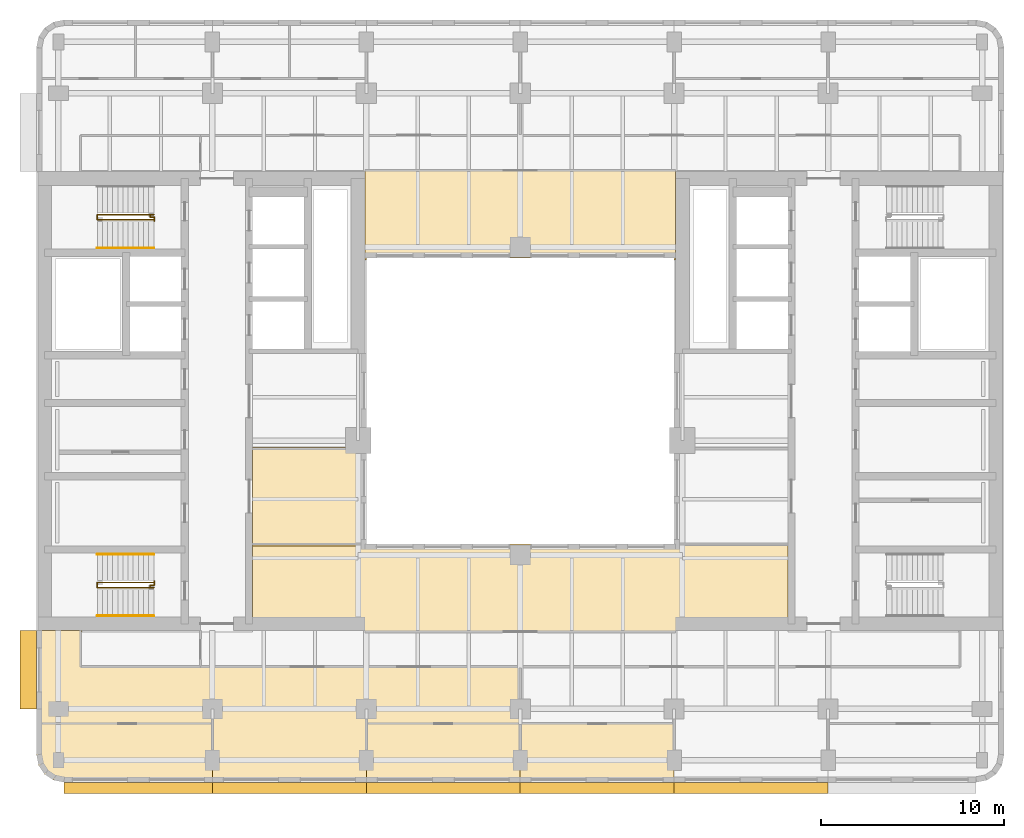
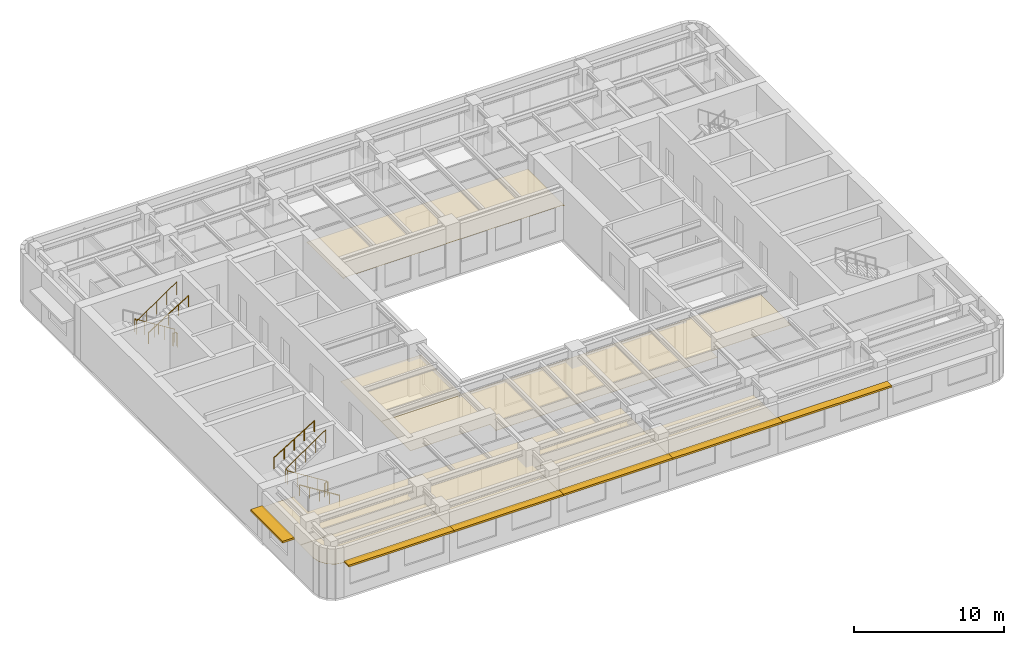
# One storey, part 9 of 11: 7 coverings, 7 railings, 6 shading devices.
"""IFC4 building model written with IfcOpenShell, lengths in metres."""

from ifc_helpers import new_model, si_unit, direction, frame, origin, origin_2d, place, context, subcontext, project, spatial, polyline, rectangle, circle, outline, extrude, material, layer, layer_set, type_object, element, save


model = new_model("IFC4")

# Units and contexts
model_context = context("Model", 3, precision=1e-05, world=origin(), true_north=direction((0.0, 1.0)))
body_context = subcontext(model_context, "Body", "Model", "MODEL_VIEW")
ifc_project = project(units=[si_unit("LENGTHUNIT", "METRE"), si_unit("AREAUNIT", "SQUARE_METRE"), si_unit("VOLUMEUNIT", "CUBIC_METRE"), si_unit("PLANEANGLEUNIT", "RADIAN"), si_unit("MASSUNIT", "GRAM", prefix="KILO")], contexts=[model_context])

# Site, building, storey
site_placement = place(None, origin())
site = spatial("IfcSite", under=ifc_project, at=site_placement, CompositionType="ELEMENT")
building_placement = place(site_placement, origin())
building = spatial("IfcBuilding", under=site, at=building_placement, Name="Claustro Exchange Tower", CompositionType="ELEMENT")
storey_placement = place(building_placement, frame((0.0, 0.0, 198.60009765625)))
storey = spatial("IfcBuildingStorey", under=building, at=storey_placement, Name="L45", CompositionType="ELEMENT", Elevation=198.60009765625)

# Coverings
ifc_material_1 = material(Name="Perforated metal ceiling tiles", Category="steel")
ifc_layer_1 = layer(ifc_material_1, 0.030029296875)
ifc_layer_set_1 = layer_set([ifc_layer_1], Name="Perforated metal ceiling tiles")
covering_type_1 = type_object("IfcCoveringType", Name="CL1 suspended metal ceiling", PredefinedType="CEILING", material=ifc_layer_set_1)
covering_1_placement = place(storey_placement, frame((0.0, 0.0, 2.7998046875)))
element("IfcCovering", 1, at=covering_1_placement, inside=storey, type_object=covering_type_1, Name="Ceiling CL1 L45-05", PredefinedType="CEILING", context=body_context, shape_type="SweptSolid", body=[
    extrude(outline(polyline([(1.199951171875, 10.699951171875), (1.199951171875, 12.60009765625), (1.294921875, 12.60009765625), (1.294921875, 12.675048828125), (-1.125, 12.675048828125), (-1.125, 12.695068359375), (-1.199951171875, 12.695068359375), (-1.199951171875, 7.60009765625), (8.39990234375, 7.60009765625), (8.39990234375, 4.39990234375), (16.800048828125, 4.39990234375), (16.800048828125, 7.60009765625), (25.199951171875, 7.60009765625), (25.199951171875, 10.699951171875), (1.199951171875, 10.699951171875)])), origin(), (0.0, 0.0, 1.0), 0.030029296875),
])
ifc_material_2 = material(Name="Gypsum board ceiling", Category="gypsum board")
ifc_layer_2 = layer(ifc_material_2, 0.02490234375)
ifc_layer_set_2 = layer_set([ifc_layer_2], Name="Gypsum board ceiling")
covering_type_2 = type_object("IfcCoveringType", Name="CL2 plasterboard ceiling", PredefinedType="CEILING", material=ifc_layer_set_2)
covering_2_placement = place(storey_placement, frame((0.0, 0.0, 2.7998046875)))
element("IfcCovering", 2, at=covering_2_placement, inside=storey, type_object=covering_type_2, Name="Ceiling CL2 L45-01", PredefinedType="CEILING", context=body_context, shape_type="SweptSolid", body=[
    extrude(outline(polyline([(-1.085693359375, 5.325927734375), (-0.7607421875, 4.83935546875), (-0.27392578125, 4.51416015625), (0.300048828125, 4.39990234375), (8.39990234375, 4.39990234375), (8.39990234375, 7.60009765625), (-1.199951171875, 7.60009765625), (-1.199951171875, 5.89990234375), (-1.085693359375, 5.325927734375)])), origin(), (0.0, 0.0, 1.0), 0.025146484375),
])
covering_3_placement = place(storey_placement, frame((0.0, 0.0, 2.7998046875)))
element("IfcCovering", 3, at=covering_3_placement, inside=storey, type_object=covering_type_2, Name="Ceiling CL2 L45-02", PredefinedType="CEILING", context=body_context, shape_type="SweptSolid", body=[
    extrude(outline(polyline([(16.800048828125, 4.39990234375), (25.199951171875, 4.39990234375), (25.199951171875, 7.60009765625), (16.800048828125, 7.60009765625), (16.800048828125, 4.39990234375)])), origin(), (0.0, 0.0, 1.0), 0.025146484375),
])
covering_4_placement = place(storey_placement, frame((0.0, 0.0, 2.7998046875)))
element("IfcCovering", 4, at=covering_4_placement, inside=storey, type_object=covering_type_2, Name="Ceiling CL2 L45-03", PredefinedType="CEILING", context=body_context, shape_type="SweptSolid", body=[
    extrude(outline(polyline([(25.199951171875, 4.39990234375), (33.60009765625, 4.39990234375), (33.60009765625, 7.60009765625), (25.199951171875, 7.60009765625), (25.199951171875, 4.39990234375)])), origin(), (0.0, 0.0, 1.0), 0.025146484375),
])
covering_5_placement = place(storey_placement, frame((0.0, 0.0, 2.7998046875)))
element("IfcCovering", 5, at=covering_5_placement, inside=storey, type_object=covering_type_2, Name="Ceiling CL2 L45-09", PredefinedType="CEILING", context=body_context, shape_type="SweptSolid", body=[
    extrude(outline(polyline([(33.60009765625, 17.39990234375), (16.800048828125, 17.39990234375), (16.800048828125, 17.4951171875), (10.60009765625, 17.4951171875), (10.60009765625, 13.405029296875), (16.705078125, 13.405029296875), (16.705078125, 12.60009765625), (33.695068359375, 12.60009765625), (33.695068359375, 13.405029296875), (39.800048828125, 13.405029296875), (39.800048828125, 17.4951171875), (33.60009765625, 17.4951171875), (33.60009765625, 17.39990234375)])), origin(), (0.0, 0.0, 1.0), 0.025146484375),
])
covering_6_placement = place(storey_placement, frame((0.0, 0.0, 2.7998046875)))
element("IfcCovering", 6, at=covering_6_placement, inside=storey, type_object=covering_type_2, Name="Ceiling CL2 L45-10", PredefinedType="CEILING", context=body_context, shape_type="SweptSolid", body=[
    extrude(outline(polyline([(10.60009765625, 22.695068359375), (10.60009765625, 17.304931640625), (16.800048828125, 17.304931640625), (16.800048828125, 22.695068359375), (10.60009765625, 22.695068359375)])), origin(), (0.0, 0.0, 1.0), 0.025146484375),
])
covering_7_placement = place(storey_placement, frame((0.0, 0.0, 2.7998046875)))
element("IfcCovering", 7, at=covering_7_placement, inside=storey, type_object=covering_type_2, Name="Ceiling CL2 L45-14", PredefinedType="CEILING", context=body_context, shape_type="SweptSolid", body=[
    extrude(outline(polyline([(16.72509765625, 37.72509765625), (16.72509765625, 32.905029296875), (16.800048828125, 32.905029296875), (16.800048828125, 33.0), (33.60009765625, 33.0), (33.60009765625, 32.905029296875), (33.675048828125, 32.905029296875), (33.675048828125, 37.72509765625), (33.695068359375, 37.72509765625), (33.695068359375, 37.800048828125), (16.705078125, 37.800048828125), (16.705078125, 37.72509765625), (16.72509765625, 37.72509765625)])), origin(), (0.0, 0.0, 1.0), 0.025146484375),
])

# Railings
ifc_material_3 = material(Name="Steel balustrade, painted", Category="steel")
railing_type_1 = type_object("IfcRailingType", Name="GR2 1100 steel stair guard", PredefinedType="GUARDRAIL", material=ifc_material_3)
railing_1_placement = place(storey_placement, frame((5.199951171875, 15.02490234375, 0.1748046875)))
element("IfcRailing", 8, at=railing_1_placement, inside=storey, type_object=railing_type_1, Name="Stair well guard GR2 stair STWA L45", PredefinedType="GUARDRAIL", context=body_context, shape_type="SweptSolid", body=[
    extrude(circle(Radius=0.02392578125, at=origin_2d()), frame((0.0, 0.0, 1.076171875), z_axis=(-0.847979421464, 0.0, 0.530029150871), x_axis=(0.0, -1.0, 0.0)), (0.0, 0.0, 1.0), 3.632080078125),
    extrude(circle(Radius=0.02392578125, at=origin_2d()), frame((-3.079833984375, 0.0, 3.0009765625), z_axis=(0.0, 1.0, 0.0), x_axis=(-1.0, 0.0, 0.0)), (0.0, 0.0, 1.0), 0.275146484375),
    extrude(circle(Radius=0.02392578125, at=origin_2d()), frame((-3.079833984375, 0.275146484375, 3.0009765625), z_axis=(0.826201015165, 0.0, 0.563375436579), x_axis=(0.0, 1.0, 0.0)), (0.0, 0.0, 1.0), 3.727783203125),
    extrude(circle(Radius=0.02099609375, at=origin_2d()), origin(), (0.0, 0.0, 1.0), 1.052001953125),
    extrude(circle(Radius=0.02099609375, at=origin_2d()), frame((-0.77001953125, 0.0, 0.481201171875)), (0.0, 0.0, 1.0), 1.052001953125),
    extrude(circle(Radius=0.02099609375, at=origin_2d()), frame((-1.5400390625, 0.0, 0.96240234375)), (0.0, 0.0, 1.0), 1.052001953125),
    extrude(circle(Radius=0.02099609375, at=origin_2d()), frame((-2.309814453125, 0.0, 1.44384765625)), (0.0, 0.0, 1.0), 1.052001953125),
    extrude(circle(Radius=0.02099609375, at=origin_2d()), frame((-3.079833984375, 0.0, 1.925048828125)), (0.0, 0.0, 1.0), 1.052001953125),
    extrude(circle(Radius=0.02099609375, at=origin_2d()), frame((-3.079833984375, 0.275146484375, 1.925048828125)), (0.0, 0.0, 1.0), 1.052001953125),
    extrude(circle(Radius=0.02099609375, at=origin_2d()), frame((-2.309814453125, 0.275146484375, 2.4501953125)), (0.0, 0.0, 1.0), 1.052001953125),
    extrude(circle(Radius=0.02099609375, at=origin_2d()), frame((-1.5400390625, 0.275146484375, 2.97509765625)), (0.0, 0.0, 1.0), 1.052001953125),
    extrude(circle(Radius=0.02099609375, at=origin_2d()), frame((-0.77001953125, 0.275146484375, 3.5)), (0.0, 0.0, 1.0), 1.052001953125),
    extrude(circle(Radius=0.02099609375, at=origin_2d()), frame((0.0, 0.275146484375, 4.025146484375)), (0.0, 0.0, 1.0), 1.052001953125),
])
railing_2_placement = place(storey_placement, frame((5.0, 15.094970703125, 0.0)))
element("IfcRailing", 9, at=railing_2_placement, inside=storey, type_object=railing_type_1, Name="Stair guard GR2 STWA L45", PredefinedType="GUARDRAIL", context=body_context, shape_type="SweptSolid", body=[
    extrude(circle(Radius=0.02392578125, at=origin_2d()), frame((0.0, 0.0, 1.076171875), z_axis=(0.0, 1.0, 0.0), x_axis=(-1.0, 0.0, 0.0)), (0.0, 0.0, 1.0), 0.067626953125),
    extrude(circle(Radius=0.02392578125, at=origin_2d()), frame((0.0, 0.067626953125, 1.076171875), z_axis=(1.0, 0.0, 0.0), x_axis=(0.0, 1.0, 0.0)), (0.0, 0.0, 1.0), 0.22509765625),
    extrude(circle(Radius=0.02392578125, at=origin_2d()), frame((0.22509765625, 0.067626953125, 1.076171875), z_axis=(0.0, 1.0, 0.0), x_axis=(-1.0, 0.0, 0.0)), (0.0, 0.0, 1.0), 0.21728515625),
    extrude(circle(Radius=0.02099609375, at=origin_2d()), origin(), (0.0, 0.0, 1.0), 1.052001953125),
    extrude(circle(Radius=0.02099609375, at=origin_2d()), frame((0.0, 0.067626953125, 0.0)), (0.0, 0.0, 1.0), 1.052001953125),
    extrude(circle(Radius=0.02099609375, at=origin_2d()), frame((0.22509765625, 0.067626953125, 0.0)), (0.0, 0.0, 1.0), 1.052001953125),
    extrude(circle(Radius=0.02099609375, at=origin_2d()), frame((0.22509765625, 0.284912109375, 0.0)), (0.0, 0.0, 1.0), 1.052001953125),
])
railing_3_placement = place(storey_placement, frame((5.199951171875, 35.375, 0.1748046875)))
element("IfcRailing", 10, at=railing_3_placement, inside=storey, type_object=railing_type_1, Name="Stair well guard GR2 stair STWB L45", PredefinedType="GUARDRAIL", context=body_context, shape_type="SweptSolid", body=[
    extrude(circle(Radius=0.02392578125, at=origin_2d()), frame((0.0, 0.0, 1.076171875), z_axis=(-0.847979421464, 0.0, 0.530029150871), x_axis=(0.0, -1.0, 0.0)), (0.0, 0.0, 1.0), 3.632080078125),
    extrude(circle(Radius=0.02392578125, at=origin_2d()), frame((-3.079833984375, 0.0, 3.0009765625), z_axis=(0.0, -1.0, 0.0), x_axis=(1.0, 0.0, 0.0)), (0.0, 0.0, 1.0), 0.27490234375),
    extrude(circle(Radius=0.02392578125, at=origin_2d()), frame((-3.079833984375, -0.27490234375, 3.0009765625), z_axis=(0.826201015165, 0.0, 0.563375436579), x_axis=(0.0, 1.0, 0.0)), (0.0, 0.0, 1.0), 3.727783203125),
    extrude(circle(Radius=0.02099609375, at=origin_2d()), origin(), (0.0, 0.0, 1.0), 1.052001953125),
    extrude(circle(Radius=0.02099609375, at=origin_2d()), frame((-0.77001953125, 0.0, 0.481201171875)), (0.0, 0.0, 1.0), 1.052001953125),
    extrude(circle(Radius=0.02099609375, at=origin_2d()), frame((-1.5400390625, 0.0, 0.96240234375)), (0.0, 0.0, 1.0), 1.052001953125),
    extrude(circle(Radius=0.02099609375, at=origin_2d()), frame((-2.309814453125, 0.0, 1.44384765625)), (0.0, 0.0, 1.0), 1.052001953125),
    extrude(circle(Radius=0.02099609375, at=origin_2d()), frame((-3.079833984375, 0.0, 1.925048828125)), (0.0, 0.0, 1.0), 1.052001953125),
    extrude(circle(Radius=0.02099609375, at=origin_2d()), frame((-3.079833984375, -0.27490234375, 1.925048828125)), (0.0, 0.0, 1.0), 1.052001953125),
    extrude(circle(Radius=0.02099609375, at=origin_2d()), frame((-2.309814453125, -0.27490234375, 2.4501953125)), (0.0, 0.0, 1.0), 1.052001953125),
    extrude(circle(Radius=0.02099609375, at=origin_2d()), frame((-1.5400390625, -0.27490234375, 2.97509765625)), (0.0, 0.0, 1.0), 1.052001953125),
    extrude(circle(Radius=0.02099609375, at=origin_2d()), frame((-0.77001953125, -0.27490234375, 3.5)), (0.0, 0.0, 1.0), 1.052001953125),
    extrude(circle(Radius=0.02099609375, at=origin_2d()), frame((0.0, -0.27490234375, 4.025146484375)), (0.0, 0.0, 1.0), 1.052001953125),
])
railing_4_placement = place(storey_placement, frame((5.0, 35.304931640625, 0.0)))
element("IfcRailing", 11, at=railing_4_placement, inside=storey, type_object=railing_type_1, Name="Stair guard GR2 STWB L45", PredefinedType="GUARDRAIL", context=body_context, shape_type="SweptSolid", body=[
    extrude(circle(Radius=0.02392578125, at=origin_2d()), frame((0.0, 0.0, 1.076171875), z_axis=(0.0, -1.0, 0.0), x_axis=(1.0, 0.0, 0.0)), (0.0, 0.0, 1.0), 0.0673828125),
    extrude(circle(Radius=0.02392578125, at=origin_2d()), frame((0.0, -0.0673828125, 1.076171875), z_axis=(1.0, 0.0, 0.0), x_axis=(0.0, 1.0, 0.0)), (0.0, 0.0, 1.0), 0.22509765625),
    extrude(circle(Radius=0.02392578125, at=origin_2d()), frame((0.22509765625, -0.0673828125, 1.076171875), z_axis=(0.0, -1.0, 0.0), x_axis=(1.0, 0.0, 0.0)), (0.0, 0.0, 1.0), 0.217529296875),
    extrude(circle(Radius=0.02099609375, at=origin_2d()), origin(), (0.0, 0.0, 1.0), 1.052001953125),
    extrude(circle(Radius=0.02099609375, at=origin_2d()), frame((0.0, -0.0673828125, 0.0)), (0.0, 0.0, 1.0), 1.052001953125),
    extrude(circle(Radius=0.02099609375, at=origin_2d()), frame((0.22509765625, -0.0673828125, 0.0)), (0.0, 0.0, 1.0), 1.052001953125),
    extrude(circle(Radius=0.02099609375, at=origin_2d()), frame((0.22509765625, -0.284912109375, 0.0)), (0.0, 0.0, 1.0), 1.052001953125),
])
ifc_material_4 = material(Name="Stainless steel tube", Category="steel")
railing_type_2 = type_object("IfcRailingType", Name="HR1 900 stair handrail", PredefinedType="HANDRAIL", material=ifc_material_4)
railing_5_placement = place(storey_placement, frame((5.199951171875, 13.485107421875, 0.1748046875)))
element("IfcRailing", 12, at=railing_5_placement, inside=storey, type_object=railing_type_2, Name="Handrail HR1 stair STWA L45", PredefinedType="HANDRAIL", context=body_context, shape_type="SweptSolid", body=[
    extrude(circle(Radius=0.02392578125, at=origin_2d()), frame((0.0, 0.0, 0.8759765625), z_axis=(-0.847979421464, 0.0, 0.530029150871), x_axis=(0.0, -1.0, 0.0)), (0.0, 0.0, 1.0), 3.632080078125),
    extrude(circle(Radius=0.02099609375, at=origin_2d()), origin(), (0.0, 0.0, 1.0), 0.851806640625),
    extrude(circle(Radius=0.02099609375, at=origin_2d()), frame((-0.77001953125, 0.0, 0.481201171875)), (0.0, 0.0, 1.0), 0.851806640625),
    extrude(circle(Radius=0.02099609375, at=origin_2d()), frame((-1.5400390625, 0.0, 0.96240234375)), (0.0, 0.0, 1.0), 0.851806640625),
    extrude(circle(Radius=0.02099609375, at=origin_2d()), frame((-2.309814453125, 0.0, 1.44384765625)), (0.0, 0.0, 1.0), 0.851806640625),
    extrude(circle(Radius=0.02099609375, at=origin_2d()), frame((-3.079833984375, 0.0, 1.925048828125)), (0.0, 0.0, 1.0), 0.851806640625),
])
for number, where, name in (
    (13, (2.1201171875, 16.840087890625, 2.27490234375), "Handrail HR1 stair STWA L45"),
    (14, (2.1201171875, 33.56005859375, 2.27490234375), "Handrail HR1 stair STWB L45"),
):
    element("IfcRailing", number, at=place(storey_placement, frame(where)), inside=storey, type_object=railing_type_2, Name=name, PredefinedType="HANDRAIL", context=body_context, shape_type="SweptSolid", body=[
        extrude(circle(Radius=0.02392578125, at=origin_2d()), frame((0.0, 0.0, 0.8759765625), z_axis=(0.847979421464, 0.0, 0.530029150871), x_axis=(0.0, 1.0, 0.0)), (0.0, 0.0, 1.0), 3.632080078125),
        extrude(circle(Radius=0.02099609375, at=origin_2d()), origin(), (0.0, 0.0, 1.0), 0.851806640625),
        extrude(circle(Radius=0.02099609375, at=origin_2d()), frame((0.77001953125, 0.0, 0.481201171875)), (0.0, 0.0, 1.0), 0.851806640625),
        extrude(circle(Radius=0.02099609375, at=origin_2d()), frame((1.5400390625, 0.0, 0.96240234375)), (0.0, 0.0, 1.0), 0.851806640625),
        extrude(circle(Radius=0.02099609375, at=origin_2d()), frame((2.309814453125, 0.0, 1.44384765625)), (0.0, 0.0, 1.0), 0.851806640625),
        extrude(circle(Radius=0.02099609375, at=origin_2d()), frame((3.079833984375, 0.0, 1.925048828125)), (0.0, 0.0, 1.0), 0.851806640625),
    ])

# Shading devices
ifc_material_5 = material(Name="Concrete HA-40 (C40/50), precast, white cement, acid-etched", Category="concrete")
ifc_layer_3 = layer(ifc_material_5, 0.14990234375)
ifc_layer_set_3 = layer_set([ifc_layer_3], Name="Concrete HA-40 (C40/50), precast, white cement, acid-etched")
shading_device_type_1 = type_object("IfcShadingDeviceType", Name="SS1 600 precast concrete SUNSHADE", PredefinedType="SHUTTER", material=ifc_layer_set_3)
for number, where, z_axis, x_axis, name in (
    (15, (37.800048828125, 4.10009765625, 2.800048828125), (0.0, 0.0, 1.0), (-1.0, 0.0, 0.0), "Precast SUNSHADE SS1 L45"),
    (16, (29.39990234375, 4.10009765625, 2.800048828125), (0.0, 0.0, 1.0), (-1.0, 0.0, 0.0), "Precast SUNSHADE SS1 L45"),
    (17, (21.0, 4.10009765625, 2.800048828125), (0.0, 0.0, 1.0), (-1.0, 0.0, 0.0), "Precast SUNSHADE SS1 L45"),
    (18, (12.60009765625, 4.10009765625, 2.800048828125), (0.0, 0.0, 1.0), (-1.0, 0.0, 0.0), "Precast SUNSHADE SS1 L45"),
):
    element("IfcShadingDevice", number, at=place(storey_placement, frame(where, z_axis=z_axis, x_axis=x_axis)), inside=storey, type_object=shading_device_type_1, Name=name, PredefinedType="SHUTTER", context=body_context, shape_type="SweptSolid", body=[
        extrude(rectangle(XDim=8.39990234375, YDim=0.60009765625, at=origin_2d()), origin(), (0.0, 0.0, 1.0), 0.14990234375),
    ])
shading_device_1_placement = place(storey_placement, frame((4.357421875, 4.10009765625, 2.800048828125), z_axis=(0.0, 0.0, 1.0), x_axis=(-1.0, 0.0, 0.0)))
element("IfcShadingDevice", 19, at=shading_device_1_placement, inside=storey, type_object=shading_device_type_1, Name="Precast SUNSHADE SS1 L45", PredefinedType="SHUTTER", context=body_context, shape_type="SweptSolid", body=[
    extrude(rectangle(XDim=8.085205078125, YDim=0.60009765625, at=origin_2d()), origin(), (0.0, 0.0, 1.0), 0.14990234375),
])
ifc_material_6 = material(Name="Concrete HA-40 (C40/50), precast, white cement, acid-etched", Category="concrete")
ifc_layer_4 = layer(ifc_material_6, 0.14990234375)
ifc_layer_set_4 = layer_set([ifc_layer_4], Name="Concrete HA-40 (C40/50), precast, white cement, acid-etched")
shading_device_type_2 = type_object("IfcShadingDeviceType", Name="SS2 900 precast concrete SUNSHADE", PredefinedType="SHUTTER", material=ifc_layer_set_4)
shading_device_2_placement = place(storey_placement, frame((-1.64990234375, 10.53759765625, 2.800048828125), z_axis=(0.0, 0.0, 1.0), x_axis=(0.0, 1.0, 0.0)))
element("IfcShadingDevice", 20, at=shading_device_2_placement, inside=storey, type_object=shading_device_type_2, Name="Precast SUNSHADE SS2 L45", PredefinedType="SHUTTER", context=body_context, shape_type="SweptSolid", body=[
    extrude(rectangle(XDim=4.27490234375, YDim=0.89990234375, at=origin_2d()), origin(), (0.0, 0.0, 1.0), 0.14990234375),
])

save(model, "model.ifc")
